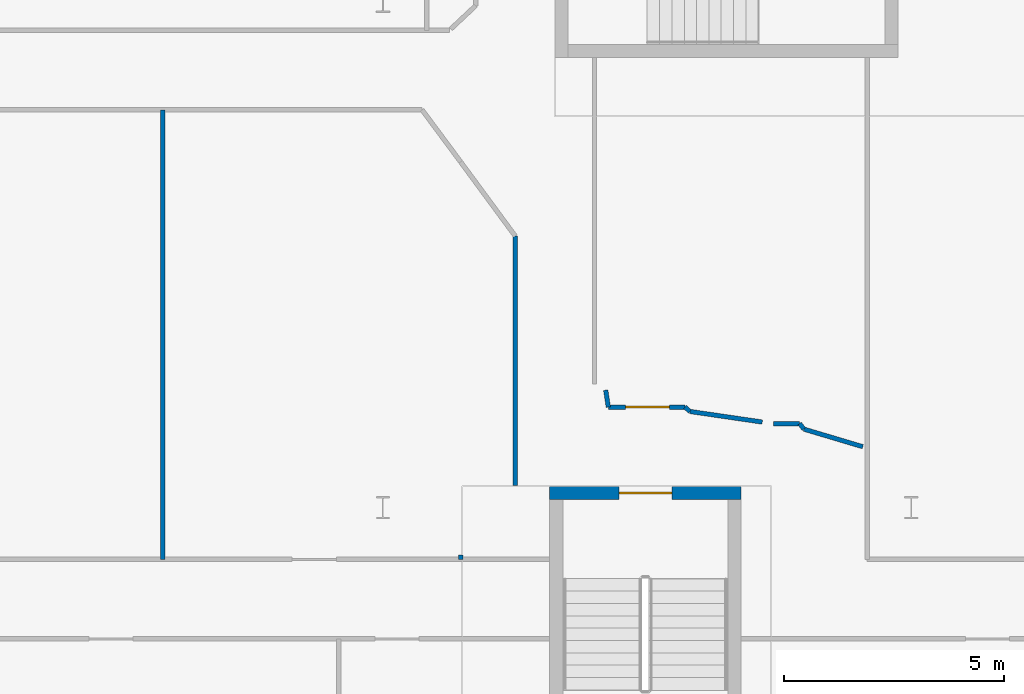
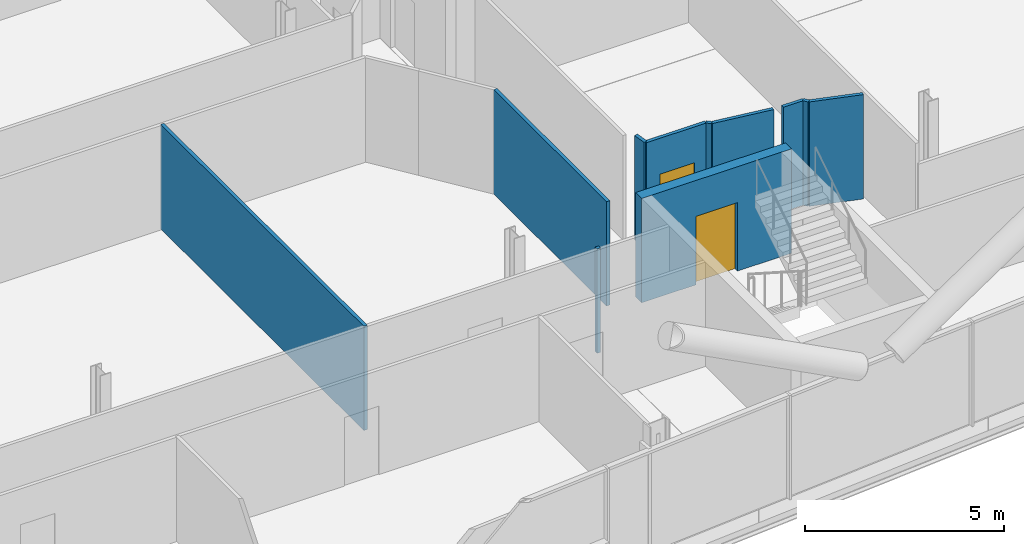
# One storey, part 16 of 27: 11 walls, 2 doors, 2 openings.
"""IFC4 building model written with IfcOpenShell, lengths in metres."""

from ifc_helpers import new_model, si_unit, direction, frame, frame_2d, origin, place, context, subcontext, project, spatial, rectangle, extrude, material, layer, layer_set, type_object, element, fill, save


model = new_model("IFC4")

# Units and contexts
model_context = context("Model", 3, precision=1e-05, world=origin(), true_north=direction((0.0, 1.0)))
body_context = subcontext(model_context, "Body", "Model", "MODEL_VIEW")
ifc_project = project(units=[si_unit("LENGTHUNIT", "METRE"), si_unit("AREAUNIT", "SQUARE_METRE"), si_unit("VOLUMEUNIT", "CUBIC_METRE"), si_unit("PLANEANGLEUNIT", "RADIAN"), si_unit("MASSUNIT", "GRAM", prefix="KILO")], contexts=[model_context])

# Site, building, storey
site_placement = place(None, origin())
site = spatial("IfcSite", under=ifc_project, at=site_placement, CompositionType="ELEMENT")
building_placement = place(site_placement, origin())
building = spatial("IfcBuilding", under=site, at=building_placement, Name="Wharfspan Tower", CompositionType="ELEMENT")
storey_placement = place(building_placement, frame((0.0, 0.0, 195.100098)))
storey = spatial("IfcBuildingStorey", under=building, at=storey_placement, Name="L48", CompositionType="ELEMENT", Elevation=195.100098)

# Walls
ifc_material_1 = material(Name="Gypsum board on steel studs", Category="steel")
ifc_layer_1 = layer(ifc_material_1, 0.100098)
ifc_layer_set_1 = layer_set([ifc_layer_1], Name="Gypsum board on steel studs")
wall_type_1 = type_object("IfcWallType", Name="Compartment wall 100 EI 60", PredefinedType="PARTITIONING", material=ifc_layer_set_1)
wall_1_placement = place(storey_placement, frame((55.0, 10.324951, 0.0), z_axis=(0.0, 0.0, 1.0), x_axis=(0.0, 1.0, 0.0)))
element("IfcWall", 1, at=wall_1_placement, inside=storey, type_object=wall_type_1, Name="Partition L48.w049", PredefinedType="PARTITIONING", context=body_context, shape_type="SweptSolid", body=[
    extrude(rectangle(XDim=10.209961, YDim=0.100098, at=frame_2d((5.10498, 0.0))), origin(), (0.0, 0.0, 1.0), 3.199951),
])
wall_2_placement = place(storey_placement, frame((61.764893, 10.324951, 0.0), z_axis=(0.0, 0.0, 1.0), x_axis=(0.0, 1.0, 0.0)))
element("IfcWall", 2, at=wall_2_placement, inside=storey, type_object=wall_type_1, Name="Partition L48.w055", PredefinedType="PARTITIONING", context=body_context, shape_type="SweptSolid", body=[
    extrude(rectangle(XDim=0.10498, YDim=0.100098, at=frame_2d((0.05249, 0.0))), origin(), (0.0, 0.0, 1.0), 3.199951),
])
wall_3_placement = place(storey_placement, frame((63.004883, 12.003662, 0.0), z_axis=(0.0, 0.0, 1.0), x_axis=(0.0, 1.0, 0.0)))
element("IfcWall", 3, at=wall_3_placement, inside=storey, type_object=wall_type_1, Name="Partition L48.w061", PredefinedType="PARTITIONING", context=body_context, shape_type="SweptSolid", body=[
    extrude(rectangle(XDim=5.66626, YDim=0.100098, at=frame_2d((2.833008, 0.0))), origin(), (0.0, 0.0, 1.0), 3.199951),
])
wall_4_placement = place(storey_placement, frame((65.120117, 13.784912, 0.0), z_axis=(0.0, 0.0, 1.0), x_axis=(-0.154128, 0.988048, 0.0)))
element("IfcWall", 4, at=wall_4_placement, inside=storey, type_object=wall_type_1, Name="Partition L48.w063", PredefinedType="PARTITIONING", context=body_context, shape_type="SweptSolid", body=[
    extrude(rectangle(XDim=0.389648, YDim=0.100098, at=frame_2d((0.194824, 0.0))), origin(), (0.0, 0.0, 1.0), 3.199951),
])

# Wall, opening, door
wall_5_placement = place(storey_placement, frame((65.120117, 13.784912, 0.0), z_axis=(0.0, 0.0, 1.0), x_axis=(1.0, 0.0, 0.0)))
wall_5 = element("IfcWall", 5, at=wall_5_placement, inside=storey, type_object=wall_type_1, Name="Partition L48.w064", PredefinedType="PARTITIONING", context=body_context, shape_type="SweptSolid", body=[
    extrude(rectangle(XDim=1.73999, YDim=0.100098, at=frame_2d((0.870117, 0.0))), origin(), (0.0, 0.0, 1.0), 3.199951),
])
opening_1_placement = place(wall_5_placement, frame((0.392334, 0.0, 0.0)))
opening_1 = element("IfcOpeningElement", 6, at=opening_1_placement, cuts=wall_5, Name="Opening C6-11", PredefinedType="OPENING", context=body_context, shape_type="SweptSolid", body=[
    extrude(rectangle(XDim=1.0, YDim=2.100098, at=frame_2d((0.5, 1.050049))), frame((0.0, 0.060059, 0.0), z_axis=(0.0, -1.0, 0.0), x_axis=(1.0, 0.0, 0.0)), (0.0, 0.0, 1.0), 0.120117),
])
ifc_material_2 = material(Name="Fire-rated timber door leaf in steel frame", Category="steel")
door_type_1 = type_object("IfcDoorType", Name="Door 1000 FD30S Right", OperationType="SINGLE_SWING_RIGHT", PredefinedType="DOOR", material=ifc_material_2)
door_1_placement = place(opening_1_placement, origin())
door_1 = element("IfcDoor", 7, at=door_1_placement, inside=storey, type_object=door_type_1, Name="Door C6-11", OperationType="SINGLE_SWING_RIGHT", OverallHeight=2.100098, OverallWidth=1.0, PredefinedType="DOOR", context=body_context, shape_type="SweptSolid", body=[
    extrude(rectangle(XDim=1.0, YDim=2.100098, at=frame_2d((0.5, 1.050049))), frame((0.0, 0.024902, 0.0), z_axis=(0.0, -1.0, 0.0), x_axis=(1.0, 0.0, 0.0)), (0.0, 0.0, 1.0), 0.050049),
])
fill(opening_1, door_1)

# Walls
wall_6_placement = place(storey_placement, frame((66.975098, 13.685059, 0.0), z_axis=(0.0, 0.0, 1.0), x_axis=(-0.755051, 0.65566, 0.0)))
element("IfcWall", 8, at=wall_6_placement, inside=storey, type_object=wall_type_1, Name="Partition L48.w065", PredefinedType="PARTITIONING", context=body_context, shape_type="SweptSolid", body=[
    extrude(rectangle(XDim=0.152344, YDim=0.100098, at=frame_2d((0.076172, 0.0))), origin(), (0.0, 0.0, 1.0), 3.199951),
])
wall_7_placement = place(storey_placement, frame((68.61499, 13.445068, 0.0), z_axis=(0.0, 0.0, 1.0), x_axis=(-0.989463, 0.144803, 0.0)))
element("IfcWall", 9, at=wall_7_placement, inside=storey, type_object=wall_type_1, Name="Partition L48.w067", PredefinedType="PARTITIONING", context=body_context, shape_type="SweptSolid", body=[
    extrude(rectangle(XDim=1.657471, YDim=0.100098, at=frame_2d((0.828613, 0.0))), origin(), (0.0, 0.0, 1.0), 3.199951),
])
wall_8_placement = place(storey_placement, frame((68.870117, 13.409912, 0.0), z_axis=(0.0, 0.0, 1.0), x_axis=(1.0, 0.0, 0.0)))
element("IfcWall", 10, at=wall_8_placement, inside=storey, type_object=wall_type_1, Name="Partition L48.w069", PredefinedType="PARTITIONING", context=body_context, shape_type="SweptSolid", body=[
    extrude(rectangle(XDim=0.594971, YDim=0.100098, at=frame_2d((0.297363, 0.0))), origin(), (0.0, 0.0, 1.0), 3.199951),
])
wall_9_placement = place(storey_placement, frame((69.560059, 13.284912, 0.0), z_axis=(0.0, 0.0, 1.0), x_axis=(-0.604968, 0.796256, 0.0)))
element("IfcWall", 11, at=wall_9_placement, inside=storey, type_object=wall_type_1, Name="Partition L48.w070", PredefinedType="PARTITIONING", context=body_context, shape_type="SweptSolid", body=[
    extrude(rectangle(XDim=0.156982, YDim=0.100098, at=frame_2d((0.078613, 0.0))), origin(), (0.0, 0.0, 1.0), 3.199951),
])
wall_10_placement = place(storey_placement, frame((70.899902, 12.88501, 0.0), z_axis=(0.0, 0.0, 1.0), x_axis=(-0.958229, 0.286002, 0.0)))
element("IfcWall", 12, at=wall_10_placement, inside=storey, type_object=wall_type_1, Name="Partition L48.w071", PredefinedType="PARTITIONING", context=body_context, shape_type="SweptSolid", body=[
    extrude(rectangle(XDim=1.398193, YDim=0.100098, at=frame_2d((0.699219, 0.0))), origin(), (0.0, 0.0, 1.0), 3.199951),
])

# Wall, opening, door
ifc_material_3 = material(Name="Concrete C40/50", Category="concrete")
ifc_layer_2 = layer(ifc_material_3, 0.300049)
ifc_layer_set_2 = layer_set([ifc_layer_2], Name="Concrete C40/50")
wall_type_2 = type_object("IfcWallType", Name="Stair core wall 300", PredefinedType="SHEAR", material=ifc_layer_set_2)
wall_11_placement = place(storey_placement, frame((63.786377, 11.83374, 0.0), z_axis=(0.0, 0.0, 1.0), x_axis=(1.0, 0.0, 0.0)))
wall_11 = element("IfcWall", 13, at=wall_11_placement, inside=storey, type_object=wall_type_2, Name="ST5 stair enclosure wall L48", PredefinedType="SHEAR", context=body_context, shape_type="SweptSolid", body=[
    extrude(rectangle(XDim=4.350098, YDim=0.300049, at=frame_2d((2.175049, 0.0))), origin(), (0.0, 0.0, 1.0), 3.199951),
])
opening_2_placement = place(wall_11_placement, frame((1.574951, 0.0, 0.0)))
opening_2 = element("IfcOpeningElement", 14, at=opening_2_placement, cuts=wall_11, Name="Opening SD5.L48", PredefinedType="OPENING", context=body_context, shape_type="SweptSolid", body=[
    extrude(rectangle(XDim=1.199951, YDim=2.100098, at=frame_2d((0.600098, 1.050049))), frame((0.0, 0.159912, 0.0), z_axis=(0.0, -1.0, 0.0), x_axis=(1.0, 0.0, 0.0)), (0.0, 0.0, 1.0), 0.320068),
])
ifc_material_4 = material(Name="Steel door leaf", Category="steel")
door_type_2 = type_object("IfcDoorType", Name="Stair door 1200x2100", OperationType="SINGLE_SWING_LEFT", PredefinedType="DOOR", material=ifc_material_4)
door_2_placement = place(opening_2_placement, origin())
door_2 = element("IfcDoor", 15, at=door_2_placement, inside=storey, type_object=door_type_2, Name="sd:L48:ST5z3", OperationType="SINGLE_SWING_RIGHT", OverallHeight=2.100098, OverallWidth=1.199951, PredefinedType="DOOR", context=body_context, shape_type="SweptSolid", body=[
    extrude(rectangle(XDim=1.199951, YDim=2.100098, at=frame_2d((0.600098, 1.050049))), frame((0.0, 0.024902, 0.0), z_axis=(0.0, -1.0, 0.0), x_axis=(1.0, 0.0, 0.0)), (0.0, 0.0, 1.0), 0.050049),
])
fill(opening_2, door_2)

save(model, "model.ifc")
